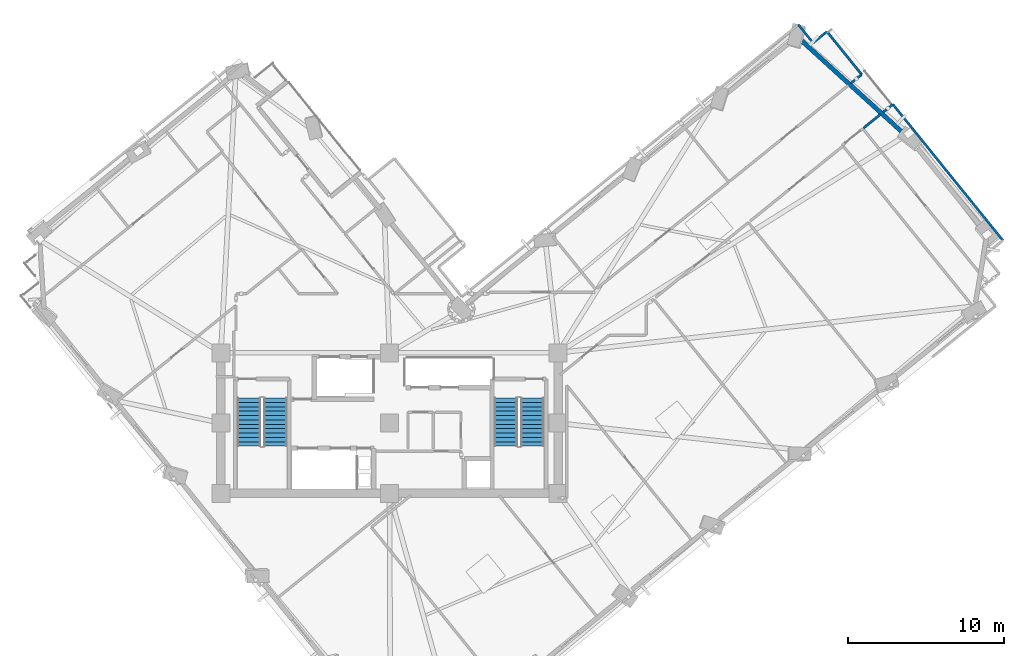
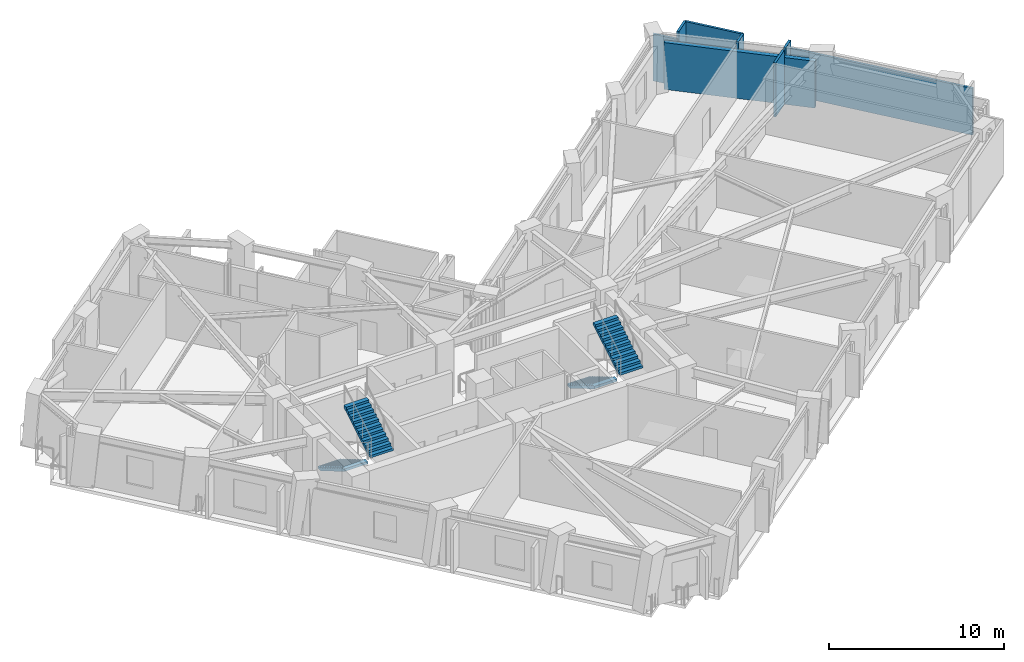
# One storey, part 9 of 14: 8 walls, 4 stair flights, 2 elements without a shape of their own.
"""IFC4 building model written with IfcOpenShell, lengths in metres."""

from ifc_helpers import new_model, si_unit, direction, frame, frame_2d, origin, place, context, subcontext, project, spatial, polyline, rectangle, outline, extrude, material, layer, layer_set, type_object, element, aggregate, save


model = new_model("IFC4")

# Units and contexts
model_context = context("Model", 3, precision=1e-05, world=origin(), true_north=direction((0.0, 1.0)))
body_context = subcontext(model_context, "Body", "Model", "MODEL_VIEW")
ifc_project = project(units=[si_unit("LENGTHUNIT", "METRE"), si_unit("AREAUNIT", "SQUARE_METRE"), si_unit("VOLUMEUNIT", "CUBIC_METRE"), si_unit("PLANEANGLEUNIT", "RADIAN"), si_unit("MASSUNIT", "GRAM", prefix="KILO")], contexts=[model_context])

# Site, building, storey
site_placement = place(None, origin())
site = spatial("IfcSite", under=ifc_project, at=site_placement, CompositionType="ELEMENT")
building_placement = place(site_placement, origin())
building = spatial("IfcBuilding", under=site, at=building_placement, Name="Gaonmaruhae Medical Tower", CompositionType="ELEMENT")
storey_placement = place(building_placement, frame((0.0, 0.0, 189.800048828125)))
storey = spatial("IfcBuildingStorey", under=building, at=storey_placement, Name="L45", CompositionType="ELEMENT", Elevation=189.800048828125)

# Walls
ifc_material_1 = material(Name="Precast concrete C45/55", Category="concrete")
ifc_layer_1 = layer(ifc_material_1, 0.280029296875)
ifc_layer_set_1 = layer_set([ifc_layer_1], Name="Precast concrete C45/55")
wall_type_1 = type_object("IfcWallType", Name="EW-280 Upper Precast Masonry-Frame Facade Wall", PredefinedType="SOLIDWALL", material=ifc_layer_set_1)
wall_1_placement = place(storey_placement, frame((51.135986328125, 36.82861328125, 0.0), z_axis=(0.0, 0.0, 1.0), x_axis=(0.740111301714, -0.672484394671, 0.0)))
element("IfcWall", 1, at=wall_1_placement, inside=storey, type_object=wall_type_1, Name="L45 Precast Masonry-Frame Wall E02-E03", PredefinedType="SOLIDWALL", context=body_context, shape_type="SweptSolid", body=[
    extrude(rectangle(XDim=8.837646484375, YDim=0.280029296875, at=frame_2d((4.4189453125, 0.0))), origin(), (0.0, 0.0, 1.0), 3.264892578125),
])
ifc_material_2 = material(Name="Gypsum board partition", Category="gypsum")
ifc_layer_2 = layer(ifc_material_2, 0.14990234375)
ifc_layer_set_2 = layer_set([ifc_layer_2], Name="Gypsum board partition")
wall_type_2 = type_object("IfcWallType", Name="PW-150 Rated Clinical Corridor Partition", PredefinedType="PARTITIONING", material=ifc_layer_set_2)
wall_2_placement = place(storey_placement, frame((51.922119140625, 36.653076171875, 0.0), z_axis=(0.0, 0.0, 1.0), x_axis=(0.777848488331, 0.62845185114, 0.0)))
element("IfcWall", 2, at=wall_2_placement, inside=storey, type_object=wall_type_2, Name="L45 Interior Partition L45-IE03-68", PredefinedType="PARTITIONING", context=body_context, shape_type="SweptSolid", body=[
    extrude(rectangle(XDim=1.138916015625, YDim=0.14990234375, at=frame_2d((0.5693359375, 0.0))), origin(), (0.0, 0.0, 1.0), 3.780029296875),
])
wall_3_placement = place(storey_placement, frame((52.80810546875, 37.368896484375, 0.0), z_axis=(0.0, 0.0, 1.0), x_axis=(0.628731909496, -0.777622135733, 0.0)))
element("IfcWall", 3, at=wall_3_placement, inside=storey, type_object=wall_type_2, Name="L45 Interior Partition L45-IE03-69", PredefinedType="PARTITIONING", context=body_context, shape_type="SweptSolid", body=[
    extrude(rectangle(XDim=3.540283203125, YDim=0.14990234375, at=frame_2d((1.77001953125, 0.0))), origin(), (0.0, 0.0, 1.0), 3.780029296875),
])
wall_4_placement = place(storey_placement, frame((55.033935546875, 34.615966796875, 0.0), z_axis=(0.0, 0.0, 1.0), x_axis=(-0.777580932049, -0.628782867223, 0.0)))
element("IfcWall", 4, at=wall_4_placement, inside=storey, type_object=wall_type_2, Name="L45 Interior Partition L45-IE03-70", PredefinedType="PARTITIONING", context=body_context, shape_type="SweptSolid", body=[
    extrude(rectangle(XDim=0.87939453125, YDim=0.14990234375, at=frame_2d((0.439697265625, 0.0))), origin(), (0.0, 0.0, 1.0), 3.780029296875),
])
wall_5_placement = place(storey_placement, frame((50.97900390625, 37.819091796875, 0.0), z_axis=(0.0, 0.0, 1.0), x_axis=(0.628875038418, -0.777506389719, 0.0)))
element("IfcWall", 5, at=wall_5_placement, inside=storey, type_object=wall_type_2, Name="L45 Interior Partition L45-IE03-73", PredefinedType="PARTITIONING", context=body_context, shape_type="SweptSolid", body=[
    extrude(rectangle(XDim=1.499755859375, YDim=0.14990234375, at=frame_2d((0.75, 0.0))), origin(), (0.0, 0.0, 1.0), 3.264892578125),
])
wall_6_placement = place(storey_placement, frame((55.154052734375, 31.19091796875, 0.0), z_axis=(0.0, 0.0, 1.0), x_axis=(0.777820699298, 0.628486244673, 0.0)))
element("IfcWall", 6, at=wall_6_placement, inside=storey, type_object=wall_type_2, Name="L45 Interior Partition L45-RM06-108", PredefinedType="PARTITIONING", context=body_context, shape_type="SweptSolid", body=[
    extrude(rectangle(XDim=1.37158203125, YDim=0.14990234375, at=frame_2d((0.685791015625, 0.0))), origin(), (0.0, 0.0, 1.0), 3.780029296875),
])
wall_7_placement = place(storey_placement, frame((56.402099609375, 32.198974609375, 0.0), z_axis=(0.0, 0.0, 1.0), x_axis=(0.777321568361, 0.629103472699, 0.0)))
element("IfcWall", 7, at=wall_7_placement, inside=storey, type_object=wall_type_2, Name="L45 Interior Partition L45-RM06-109", PredefinedType="PARTITIONING", context=body_context, shape_type="SweptSolid", body=[
    extrude(rectangle(XDim=0.8154296875, YDim=0.14990234375, at=frame_2d((0.40771484375, 0.0))), origin(), (0.0, 0.0, 1.0), 3.780029296875),
])
wall_8_placement = place(storey_placement, frame((57.035888671875, 32.7119140625, 0.0), z_axis=(0.0, 0.0, 1.0), x_axis=(0.62868295639, -0.777661713308, 0.0)))
element("IfcWall", 8, at=wall_8_placement, inside=storey, type_object=wall_type_2, Name="L45 Interior Partition L45-RM06-110", PredefinedType="PARTITIONING", context=body_context, shape_type="SweptSolid", body=[
    extrude(rectangle(XDim=11.220703125, YDim=0.14990234375, at=frame_2d((5.6103515625, 0.0))), origin(), (0.0, 0.0, 1.0), 3.264892578125),
])

# Stair, stair flights
ifc_material_3 = material(Name="Concrete C40/50", Category="concrete")
stair_type = type_object("IfcStairType", Name="ST-T1 Primary Core Escape Dogleg Stair", PredefinedType="TWO_QUARTER_TURN_STAIR", material=ifc_material_3)
stair_1_placement = place(storey_placement, origin())
stair_1 = element("IfcStair", 9, at=stair_1_placement, inside=storey, type_object=stair_type, Name="L45 Protected Escape Stair ST-01", PredefinedType="TWO_QUARTER_TURN_STAIR")
stair_flight_type = type_object("IfcStairFlightType", Name="SF-T1 Primary Core Precast Stair Flight", PredefinedType="STRAIGHT", material=ifc_material_3)
stair_flight_1_placement = place(storey_placement, frame((15.800048828125, 13.89990234375, 0.0), z_axis=(0.0, 0.0, 1.0), x_axis=(0.0, -1.0, 0.0)))
stair_flight_1 = element("IfcStairFlight", 10, at=stair_flight_1_placement, type_object=stair_flight_type, Name="ST-01 flight 1", NumberOfRisers=12, NumberOfTreads=11, PredefinedType="STRAIGHT", RiserHeight=0.166666667, TreadLength=0.28, context=body_context, shape_type="SweptSolid", body=[
    extrude(outline(polyline([(0.0, 0.0), (0.0, 0.166748046875), (0.280029296875, 0.166748046875), (0.280029296875, 0.333251953125), (0.56005859375, 0.333251953125), (0.56005859375, 0.5), (0.840087890625, 0.5), (0.840087890625, 0.666748046875), (1.1201171875, 0.666748046875), (1.1201171875, 0.833251953125), (1.39990234375, 0.833251953125), (1.39990234375, 1.0), (1.679931640625, 1.0), (1.679931640625, 1.166748046875), (1.9599609375, 1.166748046875), (1.9599609375, 1.333251953125), (2.239990234375, 1.333251953125), (2.239990234375, 1.5), (2.52001953125, 1.5), (2.52001953125, 1.666748046875), (2.800048828125, 1.666748046875), (2.800048828125, 1.833251953125), (3.080078125, 1.833251953125), (3.080078125, 2.0), (3.080078125, 1.658935546875), (0.29296875, 0.0), (0.0, 0.0)])), frame((0.0, 0.75, 0.0), z_axis=(0.0, -1.0, 0.0), x_axis=(1.0, 0.0, 0.0)), (0.0, 0.0, 1.0), 1.5),
])
stair_flight_2_placement = place(storey_placement, frame((17.5, 10.820068359375, 2.0), z_axis=(0.0, 0.0, 1.0), x_axis=(0.0, 1.0, 0.0)))
stair_flight_2 = element("IfcStairFlight", 11, at=stair_flight_2_placement, type_object=stair_flight_type, Name="ST-01 flight 2", NumberOfRisers=12, NumberOfTreads=11, PredefinedType="STRAIGHT", RiserHeight=0.166666667, TreadLength=0.28, context=body_context, shape_type="SweptSolid", body=[
    extrude(outline(polyline([(0.0, 0.0), (0.0, 0.166748046875), (0.280029296875, 0.166748046875), (0.280029296875, 0.333251953125), (0.56005859375, 0.333251953125), (0.56005859375, 0.5), (0.840087890625, 0.5), (0.840087890625, 0.666748046875), (1.1201171875, 0.666748046875), (1.1201171875, 0.833251953125), (1.39990234375, 0.833251953125), (1.39990234375, 1.0), (1.679931640625, 1.0), (1.679931640625, 1.166748046875), (1.9599609375, 1.166748046875), (1.9599609375, 1.333251953125), (2.239990234375, 1.333251953125), (2.239990234375, 1.5), (2.52001953125, 1.5), (2.52001953125, 1.666748046875), (2.800048828125, 1.666748046875), (2.800048828125, 1.833251953125), (3.080078125, 1.833251953125), (3.080078125, 2.0), (3.080078125, 1.658935546875), (0.29296875, 0.0), (0.0, 0.0)])), frame((0.0, 0.75, 0.0), z_axis=(0.0, -1.0, 0.0), x_axis=(1.0, 0.0, 0.0)), (0.0, 0.0, 1.0), 1.5),
])
aggregate(stair_1, [stair_flight_1, stair_flight_2])

stair_2_placement = place(storey_placement, origin())
stair_2 = element("IfcStair", 12, at=stair_2_placement, inside=storey, type_object=stair_type, Name="L45 Protected Escape Stair ST-02", PredefinedType="TWO_QUARTER_TURN_STAIR")
stair_flight_3_placement = place(storey_placement, frame((32.25, 13.89990234375, 0.0), z_axis=(0.0, 0.0, 1.0), x_axis=(0.0, -1.0, 0.0)))
stair_flight_3 = element("IfcStairFlight", 13, at=stair_flight_3_placement, type_object=stair_flight_type, Name="ST-02 flight 1", NumberOfRisers=12, NumberOfTreads=11, PredefinedType="STRAIGHT", RiserHeight=0.166666667, TreadLength=0.28, context=body_context, shape_type="SweptSolid", body=[
    extrude(outline(polyline([(0.0, 0.0), (0.0, 0.166748046875), (0.280029296875, 0.166748046875), (0.280029296875, 0.333251953125), (0.56005859375, 0.333251953125), (0.56005859375, 0.5), (0.840087890625, 0.5), (0.840087890625, 0.666748046875), (1.1201171875, 0.666748046875), (1.1201171875, 0.833251953125), (1.39990234375, 0.833251953125), (1.39990234375, 1.0), (1.679931640625, 1.0), (1.679931640625, 1.166748046875), (1.9599609375, 1.166748046875), (1.9599609375, 1.333251953125), (2.239990234375, 1.333251953125), (2.239990234375, 1.5), (2.52001953125, 1.5), (2.52001953125, 1.666748046875), (2.800048828125, 1.666748046875), (2.800048828125, 1.833251953125), (3.080078125, 1.833251953125), (3.080078125, 2.0), (3.080078125, 1.658935546875), (0.29296875, 0.0), (0.0, 0.0)])), frame((0.0, 0.75, 0.0), z_axis=(0.0, -1.0, 0.0), x_axis=(1.0, 0.0, 0.0)), (0.0, 0.0, 1.0), 1.5),
])
stair_flight_4_placement = place(storey_placement, frame((33.949951171875, 10.820068359375, 2.0), z_axis=(0.0, 0.0, 1.0), x_axis=(0.0, 1.0, 0.0)))
stair_flight_4 = element("IfcStairFlight", 14, at=stair_flight_4_placement, type_object=stair_flight_type, Name="ST-02 flight 2", NumberOfRisers=12, NumberOfTreads=11, PredefinedType="STRAIGHT", RiserHeight=0.166666667, TreadLength=0.28, context=body_context, shape_type="SweptSolid", body=[
    extrude(outline(polyline([(0.0, 0.0), (0.0, 0.166748046875), (0.280029296875, 0.166748046875), (0.280029296875, 0.333251953125), (0.56005859375, 0.333251953125), (0.56005859375, 0.5), (0.840087890625, 0.5), (0.840087890625, 0.666748046875), (1.1201171875, 0.666748046875), (1.1201171875, 0.833251953125), (1.39990234375, 0.833251953125), (1.39990234375, 1.0), (1.679931640625, 1.0), (1.679931640625, 1.166748046875), (1.9599609375, 1.166748046875), (1.9599609375, 1.333251953125), (2.239990234375, 1.333251953125), (2.239990234375, 1.5), (2.52001953125, 1.5), (2.52001953125, 1.666748046875), (2.800048828125, 1.666748046875), (2.800048828125, 1.833251953125), (3.080078125, 1.833251953125), (3.080078125, 2.0), (3.080078125, 1.658935546875), (0.29296875, 0.0), (0.0, 0.0)])), frame((0.0, 0.75, 0.0), z_axis=(0.0, -1.0, 0.0), x_axis=(1.0, 0.0, 0.0)), (0.0, 0.0, 1.0), 1.5),
])
aggregate(stair_2, [stair_flight_3, stair_flight_4])

save(model, "model.ifc")
